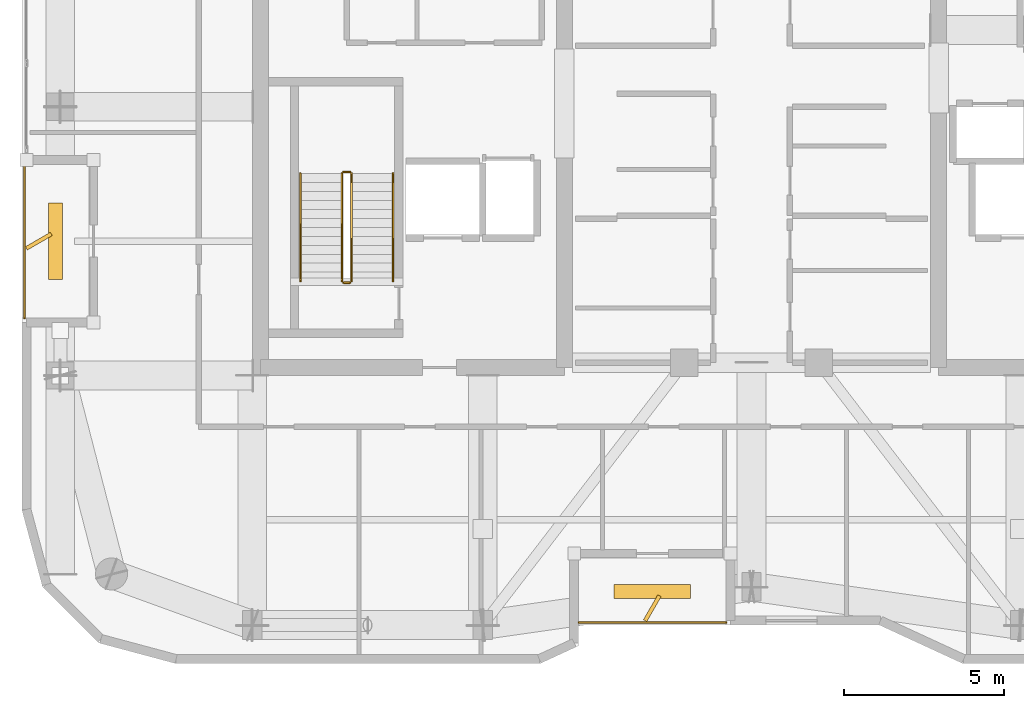
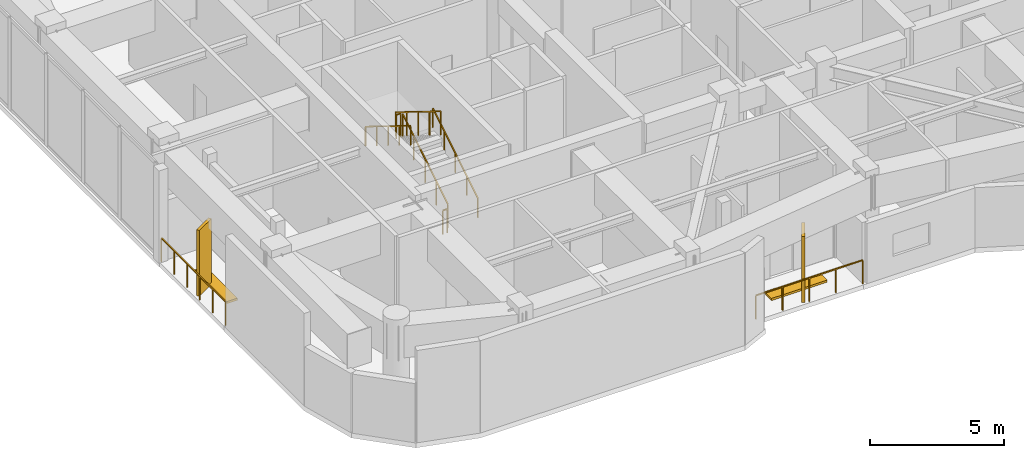
# One storey, part 16 of 17: 8 railings, 4 shading devices.
"""IFC4 building model written with IfcOpenShell, lengths in metres."""

import ifcopenshell
import ifcopenshell.guid

model = None  # the IFC model being written
_history = None  # IfcOwnerHistory: only IFC2X3 demands one
_inside = {}  # id of a spatial element -> (the spatial element, [elements in it])
_under = {}  # id of a project, library or spatial element -> (it, [spatial elements below it])
_declared = {}  # id of a project -> (the project, [libraries it declares])
_typed = {}  # id of a type object -> (the type object, [elements of that type])
_made_of = {}  # id of a material, layer set ... -> (it, [elements and type objects made of it])


def new_model(schema):
    """Start an empty IFC model of exactly this schema.

    Asked for "IFC4X3", IfcOpenShell would pick the latest addendum, in which some entities
    have other attributes; the version numbers below select the first issue.
    IFC2X3 requires an IfcOwnerHistory on every rooted entity: one is made here for all.
    """
    global model, _history
    if schema == "IFC4X3":
        model = ifcopenshell.file(schema_version=(4, 3, 0, 0))
    else:
        model = ifcopenshell.file(schema=schema)
    _inside.clear()
    _under.clear()
    _declared.clear()
    _typed.clear()
    _made_of.clear()
    _history = None
    if model.schema == "IFC2X3":
        org = make("IfcOrganization", Name="unknown")
        user = make(
            "IfcPersonAndOrganization",
            ThePerson=make("IfcPerson", FamilyName="unknown"),
            TheOrganization=org,
        )
        app = make(
            "IfcApplication",
            ApplicationDeveloper=org,
            Version="unknown",
            ApplicationFullName="unknown",
            ApplicationIdentifier="unknown",
        )
        _history = make(
            "IfcOwnerHistory",
            OwningUser=user,
            OwningApplication=app,
            ChangeAction="ADDED",
            CreationDate=0,
        )
    return model


def make(cls, **values):
    """One entity of the class cls with the attributes given. An attribute that is None is left unset."""
    return model.create_entity(
        cls, **{name: value for name, value in values.items() if value is not None}
    )


def rooted(cls, **values):
    """An entity with a GlobalId (a new one), such as an element, a storey or a relation."""
    return make(cls, GlobalId=ifcopenshell.guid.new(), OwnerHistory=_history, **values)


def si_unit(unit_type, name, prefix=None):
    """IfcSIUnit, for example si_unit("LENGTHUNIT", "METRE", prefix="MILLI")."""
    return make("IfcSIUnit", UnitType=unit_type, Prefix=prefix, Name=name)


def assignment(units):
    """IfcUnitAssignment: the units of a project."""
    return None if units is None else make("IfcUnitAssignment", Units=units)


def point(xyz):
    """IfcCartesianPoint."""
    return None if xyz is None else make("IfcCartesianPoint", Coordinates=xyz)


def direction(xyz):
    """IfcDirection."""
    return None if xyz is None else make("IfcDirection", DirectionRatios=xyz)


def frame(location, z_axis=None, x_axis=None):
    """IfcAxis2Placement3D, a coordinate frame: its origin and axes. An axis left out is left unset."""
    return make(
        "IfcAxis2Placement3D",
        Location=point(location),
        Axis=direction(z_axis),
        RefDirection=direction(x_axis),
    )


def frame_2d(location, x_axis=None):
    """IfcAxis2Placement2D, a coordinate frame in the plane: its origin and x axis."""
    return make(
        "IfcAxis2Placement2D", Location=point(location), RefDirection=direction(x_axis)
    )


def origin():
    """The frame at (0, 0, 0) with its axes left unset."""
    return frame((0.0, 0.0, 0.0))


def origin_2d():
    """The frame at (0, 0) in the plane with its x axis left unset."""
    return frame_2d((0.0, 0.0))


def place(relative_to, where):
    """IfcLocalPlacement: puts the frame where relative to a parent placement (None: the world)."""
    return make(
        "IfcLocalPlacement", PlacementRelTo=relative_to, RelativePlacement=where
    )


def context(
    kind, dimensions, precision=None, world=None, true_north=None, identifier=None
):
    """IfcGeometricRepresentationContext, for example the 3D "Model" context."""
    return make(
        "IfcGeometricRepresentationContext",
        ContextIdentifier=identifier,
        ContextType=kind,
        CoordinateSpaceDimension=dimensions,
        Precision=precision,
        WorldCoordinateSystem=world,
        TrueNorth=true_north,
    )


def subcontext(parent, identifier, kind, view, scale=None):
    """IfcGeometricRepresentationSubContext, for example "Body" below "Model"."""
    return make(
        "IfcGeometricRepresentationSubContext",
        ContextIdentifier=identifier,
        ContextType=kind,
        ParentContext=parent,
        TargetScale=scale,
        TargetView=view,
    )


def project(units=None, contexts=None):
    """IfcProject with its units and contexts."""
    return rooted(
        "IfcProject",
        Name="project",
        RepresentationContexts=contexts,
        UnitsInContext=assignment(units),
    )


def spatial(cls, under=None, at=None, **own):
    """A site, building, storey or space (cls), placed at a placement, below another one or the project."""
    s = rooted(cls, ObjectPlacement=at, **own)
    if under is not None:
        _under.setdefault(under.id(), (under, []))[1].append(s)
    return s


def profile(cls, at=None, kind="AREA", **sizes):
    """A parametric profile (cls). Its sizes go by their IFC names, for example OverallWidth=200.0."""
    return make(cls, ProfileType=kind, Position=at, **sizes)


def rectangle(**sizes):
    """IfcRectangleProfileDef."""
    return profile("IfcRectangleProfileDef", **sizes)


def extrude(swept, where, along, depth):
    """IfcExtrudedAreaSolid: the profile swept, set in the frame where, extruded along a direction by depth."""
    return make(
        "IfcExtrudedAreaSolid",
        SweptArea=swept,
        Position=where,
        ExtrudedDirection=direction(along),
        Depth=depth,
    )


def shape(context_of_items, identifier, shape_type, items):
    """IfcShapeRepresentation: the items that make up one representation, for example the "Body"."""
    return make(
        "IfcShapeRepresentation",
        ContextOfItems=context_of_items,
        RepresentationIdentifier=identifier,
        RepresentationType=shape_type,
        Items=items,
    )


def material(Name=None, Category=None):
    """IfcMaterial."""
    return make("IfcMaterial", Name=Name, Category=Category)


def made_of(thing, what):
    """Note that an element or type object is made of a material, layer set ...; save() writes the relation."""
    if what is not None:
        _made_of.setdefault(what.id(), (what, []))[1].append(thing)
    return thing


def type_object(cls, material=None, **own):
    """A type object (cls), such as IfcWallType, which elements share."""
    return made_of(rooted(cls, **own), material)


def element(
    cls,
    number,
    at=None,
    inside=None,
    cuts=None,
    type_object=None,
    material=None,
    context=None,
    identifier="Body",
    shape_type=None,
    held_by="IfcProductDefinitionShape",
    body=None,
    shapes=None,
    **own,
):
    """One element of the class cls, such as IfcWall. Its Tag is "e" and its number.

    at: its placement. inside: the storey or other place that contains it. cuts: it is an
    opening in that element (IfcRelVoidsElement). A single representation is given by context,
    identifier, shape_type and body (its items); several are given by shapes. held_by: the class
    of the entity that holds the representations. save() writes the other relations.
    """
    e = rooted(cls, Tag="e%d" % number, ObjectPlacement=at, **own)
    if body is not None:
        shapes = [shape(context, identifier, shape_type, body)]
    if shapes is not None:
        e.Representation = make(held_by, Representations=shapes)
    if inside is not None:
        _inside.setdefault(inside.id(), (inside, []))[1].append(e)
    if cuts is not None:
        rooted(
            "IfcRelVoidsElement", RelatingBuildingElement=cuts, RelatedOpeningElement=e
        )
    if type_object is not None:
        _typed.setdefault(type_object.id(), (type_object, []))[1].append(e)
    return made_of(e, material)


def aggregate(whole, parts):
    """IfcRelAggregates: a whole, such as a stair, and the parts it consists of."""
    return rooted("IfcRelAggregates", RelatingObject=whole, RelatedObjects=parts)


def save(model, path):
    """Write the relations noted so far, then the file.

    IfcRelAggregates (storeys below a building ...), IfcRelContainedInSpatialStructure (elements
    in a storey), IfcRelDefinesByType, IfcRelAssociatesMaterial and IfcRelDeclares: one each for
    every whole, place, type object, material and project.
    """
    for whole, parts in _under.values():
        aggregate(whole, parts)
    for where, things in _inside.values():
        rooted(
            "IfcRelContainedInSpatialStructure",
            RelatedElements=things,
            RelatingStructure=where,
        )
    for kind, things in _typed.values():
        rooted("IfcRelDefinesByType", RelatedObjects=things, RelatingType=kind)
    for what, things in _made_of.values():
        rooted("IfcRelAssociatesMaterial", RelatedObjects=things, RelatingMaterial=what)
    for by, libraries in _declared.values():
        rooted("IfcRelDeclares", RelatingContext=by, RelatedDefinitions=libraries)
    model.write(path)


model = new_model("IFC4")

# Units and contexts
model_context = context("Model", 3, precision=1e-05, world=origin(), true_north=direction((0.0, 1.0)))
body_context = subcontext(model_context, "Body", "Model", "MODEL_VIEW")
ifc_project = project(units=[si_unit("LENGTHUNIT", "METRE"), si_unit("AREAUNIT", "SQUARE_METRE"), si_unit("VOLUMEUNIT", "CUBIC_METRE"), si_unit("PLANEANGLEUNIT", "RADIAN"), si_unit("MASSUNIT", "GRAM", prefix="KILO")], contexts=[model_context])

# Site, building, storey
site_placement = place(None, origin())
site = spatial("IfcSite", under=ifc_project, at=site_placement, CompositionType="ELEMENT")
building_placement = place(site_placement, origin())
building = spatial("IfcBuilding", under=site, at=building_placement, Name="Kiyonajd Concourse Tower", CompositionType="ELEMENT")
storey_placement = place(building_placement, frame((0.0, 0.0, 350.39990234375)))
storey = spatial("IfcBuildingStorey", under=building, at=storey_placement, Name="L88", CompositionType="ELEMENT", Elevation=350.39990234375)

# Railings
ifc_material_1 = material(Name="Thermally Broken Anodised Aluminium", Category="aluminium")
railing_type_1 = type_object("IfcRailingType", Name="RL-GRD-LOG", PredefinedType="GUARDRAIL", material=ifc_material_1)
railing_1_placement = place(storey_placement, frame((42.60009765625, 19.8798828125, 0.0)))
element("IfcRailing", 1, at=railing_1_placement, inside=storey, type_object=railing_type_1, Name="L88 Engawa Loggia Perimeter Guard LOG-S", PredefinedType="GUARDRAIL", context=body_context, shape_type="SweptSolid", body=[
    extrude(rectangle(XDim=0.048095703125, YDim=0.048095703125, at=origin_2d()), frame((0.0, 0.0, 1.076171875), z_axis=(1.0, 0.0, 0.0), x_axis=(0.0, 1.0, 0.0)), (0.0, 0.0, 1.0), 4.599853515625),
    extrude(rectangle(XDim=0.0419921875, YDim=0.0419921875, at=origin_2d()), origin(), (0.0, 0.0, 1.0), 1.052001953125),
    extrude(rectangle(XDim=0.0419921875, YDim=0.0419921875, at=origin_2d()), frame((1.14990234375, 0.0, 0.0)), (0.0, 0.0, 1.0), 1.052001953125),
    extrude(rectangle(XDim=0.0419921875, YDim=0.0419921875, at=origin_2d()), frame((2.2998046875, 0.0, 0.0)), (0.0, 0.0, 1.0), 1.052001953125),
    extrude(rectangle(XDim=0.0419921875, YDim=0.0419921875, at=origin_2d()), frame((3.449951171875, 0.0, 0.0)), (0.0, 0.0, 1.0), 1.052001953125),
    extrude(rectangle(XDim=0.0419921875, YDim=0.0419921875, at=origin_2d()), frame((4.599853515625, 0.0, 0.0)), (0.0, 0.0, 1.0), 1.052001953125),
])
railing_2_placement = place(storey_placement, frame((25.280029296875, 34.199951171875, 0.0)))
element("IfcRailing", 2, at=railing_2_placement, inside=storey, type_object=railing_type_1, Name="L88 Engawa Loggia Perimeter Guard LOG-W", PredefinedType="GUARDRAIL", context=body_context, shape_type="SweptSolid", body=[
    extrude(rectangle(XDim=0.048095703125, YDim=0.048095703125, at=origin_2d()), frame((0.0, 0.0, 1.076171875), z_axis=(0.0, -1.0, 0.0), x_axis=(1.0, 0.0, 0.0)), (0.0, 0.0, 1.0), 4.800048828125),
    extrude(rectangle(XDim=0.0419921875, YDim=0.0419921875, at=origin_2d()), origin(), (0.0, 0.0, 1.0), 1.052001953125),
    extrude(rectangle(XDim=0.0419921875, YDim=0.0419921875, at=origin_2d()), frame((0.0, -0.9599609375, 0.0)), (0.0, 0.0, 1.0), 1.052001953125),
    extrude(rectangle(XDim=0.0419921875, YDim=0.0419921875, at=origin_2d()), frame((0.0, -1.919921875, 0.0)), (0.0, 0.0, 1.0), 1.052001953125),
    extrude(rectangle(XDim=0.0419921875, YDim=0.0419921875, at=origin_2d()), frame((0.0, -2.880126953125, 0.0)), (0.0, 0.0, 1.0), 1.052001953125),
    extrude(rectangle(XDim=0.0419921875, YDim=0.0419921875, at=origin_2d()), frame((0.0, -3.840087890625, 0.0)), (0.0, 0.0, 1.0), 1.052001953125),
    extrude(rectangle(XDim=0.0419921875, YDim=0.0419921875, at=origin_2d()), frame((0.0, -4.800048828125, 0.0)), (0.0, 0.0, 1.0), 1.052001953125),
])
ifc_material_2 = material(Name="Steel ASTM A500 Grade C", Category="steel")
railing_type_2 = type_object("IfcRailingType", Name="RL-GRD-STR", PredefinedType="GUARDRAIL", material=ifc_material_2)
railing_3_placement = place(storey_placement, frame((35.5, 30.550048828125, 0.173095703125)))
element("IfcRailing", 3, at=railing_3_placement, inside=storey, type_object=railing_type_2, Name="L88 ST1 stair guard 1", PredefinedType="GUARDRAIL", context=body_context, shape_type="SweptSolid", body=[
    extrude(rectangle(XDim=0.048095703125, YDim=0.048095703125, at=origin_2d()), frame((0.0, 0.0, 1.076171875), z_axis=(0.0, 0.850606129759, 0.525803396734), x_axis=(-1.0, 0.0, 0.0)), (0.0, 0.0, 1.0), 3.949951171875),
    extrude(rectangle(XDim=0.0419921875, YDim=0.0419921875, at=origin_2d()), origin(), (0.0, 0.0, 1.0), 1.052001953125),
    extrude(rectangle(XDim=0.0419921875, YDim=0.0419921875, at=origin_2d()), frame((0.0, 0.83984375, 0.519287109375)), (0.0, 0.0, 1.0), 1.052001953125),
    extrude(rectangle(XDim=0.0419921875, YDim=0.0419921875, at=origin_2d()), frame((0.0, 1.679931640625, 1.03857421875)), (0.0, 0.0, 1.0), 1.052001953125),
    extrude(rectangle(XDim=0.0419921875, YDim=0.0419921875, at=origin_2d()), frame((0.0, 2.52001953125, 1.5576171875)), (0.0, 0.0, 1.0), 1.052001953125),
    extrude(rectangle(XDim=0.0419921875, YDim=0.0419921875, at=origin_2d()), frame((0.0, 3.35986328125, 2.076904296875)), (0.0, 0.0, 1.0), 1.052001953125),
])
railing_4_placement = place(storey_placement, frame((35.449951171875, 33.9599609375, 2.25)))
element("IfcRailing", 4, at=railing_4_placement, inside=storey, type_object=railing_type_2, Name="L88 ST1 stair guard 2", PredefinedType="GUARDRAIL", context=body_context, shape_type="SweptSolid", body=[
    extrude(rectangle(XDim=0.048095703125, YDim=0.048095703125, at=origin_2d()), frame((0.0, 0.0, 1.076171875), z_axis=(-1.0, 0.0, 0.0), x_axis=(0.0, -1.0, 0.0)), (0.0, 0.0, 1.0), 0.199951171875),
    extrude(rectangle(XDim=0.0419921875, YDim=0.0419921875, at=origin_2d()), origin(), (0.0, 0.0, 1.0), 1.052001953125),
    extrude(rectangle(XDim=0.0419921875, YDim=0.0419921875, at=origin_2d()), frame((-0.199951171875, 0.0, 0.0)), (0.0, 0.0, 1.0), 1.052001953125),
])
railing_5_placement = place(storey_placement, frame((35.199951171875, 33.909912109375, 2.423095703125)))
element("IfcRailing", 5, at=railing_5_placement, inside=storey, type_object=railing_type_2, Name="L88 ST1 stair guard 3", PredefinedType="GUARDRAIL", context=body_context, shape_type="SweptSolid", body=[
    extrude(rectangle(XDim=0.048095703125, YDim=0.048095703125, at=origin_2d()), frame((0.0, 0.0, 1.076171875), z_axis=(0.0, -0.850606129759, 0.525803396734), x_axis=(1.0, 0.0, 0.0)), (0.0, 0.0, 1.0), 3.949951171875),
    extrude(rectangle(XDim=0.0419921875, YDim=0.0419921875, at=origin_2d()), origin(), (0.0, 0.0, 1.0), 1.052001953125),
    extrude(rectangle(XDim=0.0419921875, YDim=0.0419921875, at=origin_2d()), frame((0.0, -0.83984375, 0.519287109375)), (0.0, 0.0, 1.0), 1.052001953125),
    extrude(rectangle(XDim=0.0419921875, YDim=0.0419921875, at=origin_2d()), frame((0.0, -1.679931640625, 1.03857421875)), (0.0, 0.0, 1.0), 1.052001953125),
    extrude(rectangle(XDim=0.0419921875, YDim=0.0419921875, at=origin_2d()), frame((0.0, -2.52001953125, 1.5576171875)), (0.0, 0.0, 1.0), 1.052001953125),
    extrude(rectangle(XDim=0.0419921875, YDim=0.0419921875, at=origin_2d()), frame((0.0, -3.35986328125, 2.076904296875)), (0.0, 0.0, 1.0), 1.052001953125),
])
railing_6_placement = place(storey_placement, frame((35.449951171875, 30.5, 0.0)))
element("IfcRailing", 6, at=railing_6_placement, inside=storey, type_object=railing_type_2, Name="L88 ST1 stair guard 4", PredefinedType="GUARDRAIL", context=body_context, shape_type="SweptSolid", body=[
    extrude(rectangle(XDim=0.048095703125, YDim=0.048095703125, at=origin_2d()), frame((0.0, 0.0, 1.076171875), z_axis=(-1.0, 0.0, 0.0), x_axis=(0.0, -1.0, 0.0)), (0.0, 0.0, 1.0), 0.199951171875),
    extrude(rectangle(XDim=0.0419921875, YDim=0.0419921875, at=origin_2d()), origin(), (0.0, 0.0, 1.0), 1.052001953125),
    extrude(rectangle(XDim=0.0419921875, YDim=0.0419921875, at=origin_2d()), frame((-0.199951171875, 0.0, 0.0)), (0.0, 0.0, 1.0), 1.052001953125),
])
ifc_material_3 = material(Name="Brushed Stainless Steel Cab Assembly", Category="steel")
railing_type_3 = type_object("IfcRailingType", Name="RL-HND-900", PredefinedType="HANDRAIL", material=ifc_material_3)
railing_7_placement = place(storey_placement, frame((36.800048828125, 30.550048828125, 0.173095703125)))
element("IfcRailing", 7, at=railing_7_placement, inside=storey, type_object=railing_type_3, Name="L88 ST1 stair handrail 1", PredefinedType="HANDRAIL", context=body_context, shape_type="SweptSolid", body=[
    extrude(rectangle(XDim=0.048095703125, YDim=0.048095703125, at=origin_2d()), frame((0.0, 0.0, 0.8759765625), z_axis=(0.0, 0.850606129759, 0.525803396734), x_axis=(-1.0, 0.0, 0.0)), (0.0, 0.0, 1.0), 3.949951171875),
    extrude(rectangle(XDim=0.0419921875, YDim=0.0419921875, at=origin_2d()), origin(), (0.0, 0.0, 1.0), 0.851806640625),
    extrude(rectangle(XDim=0.0419921875, YDim=0.0419921875, at=origin_2d()), frame((0.0, 0.83984375, 0.519287109375)), (0.0, 0.0, 1.0), 0.851806640625),
    extrude(rectangle(XDim=0.0419921875, YDim=0.0419921875, at=origin_2d()), frame((0.0, 1.679931640625, 1.03857421875)), (0.0, 0.0, 1.0), 0.851806640625),
    extrude(rectangle(XDim=0.0419921875, YDim=0.0419921875, at=origin_2d()), frame((0.0, 2.52001953125, 1.5576171875)), (0.0, 0.0, 1.0), 0.851806640625),
    extrude(rectangle(XDim=0.0419921875, YDim=0.0419921875, at=origin_2d()), frame((0.0, 3.35986328125, 2.076904296875)), (0.0, 0.0, 1.0), 0.851806640625),
])
railing_8_placement = place(storey_placement, frame((33.89990234375, 33.909912109375, 2.423095703125)))
element("IfcRailing", 8, at=railing_8_placement, inside=storey, type_object=railing_type_3, Name="L88 ST1 stair handrail 2", PredefinedType="HANDRAIL", context=body_context, shape_type="SweptSolid", body=[
    extrude(rectangle(XDim=0.048095703125, YDim=0.048095703125, at=origin_2d()), frame((0.0, 0.0, 0.8759765625), z_axis=(0.0, -0.850606129759, 0.525803396734), x_axis=(1.0, 0.0, 0.0)), (0.0, 0.0, 1.0), 3.949951171875),
    extrude(rectangle(XDim=0.0419921875, YDim=0.0419921875, at=origin_2d()), origin(), (0.0, 0.0, 1.0), 0.851806640625),
    extrude(rectangle(XDim=0.0419921875, YDim=0.0419921875, at=origin_2d()), frame((0.0, -0.83984375, 0.519287109375)), (0.0, 0.0, 1.0), 0.851806640625),
    extrude(rectangle(XDim=0.0419921875, YDim=0.0419921875, at=origin_2d()), frame((0.0, -1.679931640625, 1.03857421875)), (0.0, 0.0, 1.0), 0.851806640625),
    extrude(rectangle(XDim=0.0419921875, YDim=0.0419921875, at=origin_2d()), frame((0.0, -2.52001953125, 1.5576171875)), (0.0, 0.0, 1.0), 0.851806640625),
    extrude(rectangle(XDim=0.0419921875, YDim=0.0419921875, at=origin_2d()), frame((0.0, -3.35986328125, 2.076904296875)), (0.0, 0.0, 1.0), 0.851806640625),
])

# Shading devices
ifc_material_4 = material(Name="Precast concrete C50/60", Category="concrete")
shading_device_type_1 = type_object("IfcShadingDeviceType", Name="SH-FIN-900", PredefinedType="USERDEFINED", material=ifc_material_4)
for number, where, z_axis, x_axis, name in (
    (9, (44.89990234375, 20.330078125, 0.0), (0.0, 0.0, 1.0), (0.5, 0.866025403784, 0.0), "L88 Angled Koshi Solar Fin LOG-S"),
    (10, (25.72998046875, 31.800048828125, 0.0), (0.0, 0.0, 1.0), (0.866025403784, 0.5, 0.0), "L88 Angled Koshi Solar Fin LOG-W"),
):
    element("IfcShadingDevice", number, at=place(storey_placement, frame(where, z_axis=z_axis, x_axis=x_axis)), inside=storey, type_object=shading_device_type_1, Name=name, ObjectType="FIN", PredefinedType="USERDEFINED", context=body_context, shape_type="SweptSolid", body=[
        extrude(rectangle(XDim=0.89990234375, YDim=0.1201171875, at=origin_2d()), origin(), (0.0, 0.0, 1.0), 3.0),
    ])
shading_device_type_2 = type_object("IfcShadingDeviceType", Name="SH-LVR-600", PredefinedType="JALOUSIE", material=ifc_material_1)
for number, where, z_axis, x_axis, name in (
    (11, (44.89990234375, 20.85009765625, 0.0), (0.0, 0.0, 1.0), (1.0, 0.0, 0.0), "L88 Loggia Threshold Louver LOG-S"),
    (12, (26.25, 31.800048828125, 0.0), (0.0, 0.0, 1.0), (0.0, 1.0, 0.0), "L88 Loggia Threshold Louver LOG-W"),
):
    element("IfcShadingDevice", number, at=place(storey_placement, frame(where, z_axis=z_axis, x_axis=x_axis)), inside=storey, type_object=shading_device_type_2, Name=name, PredefinedType="JALOUSIE", context=body_context, shape_type="SweptSolid", body=[
        extrude(rectangle(XDim=2.39990234375, YDim=0.449951171875, at=origin_2d()), origin(), (0.0, 0.0, 1.0), 0.10009765625),
    ])

save(model, "model.ifc")
